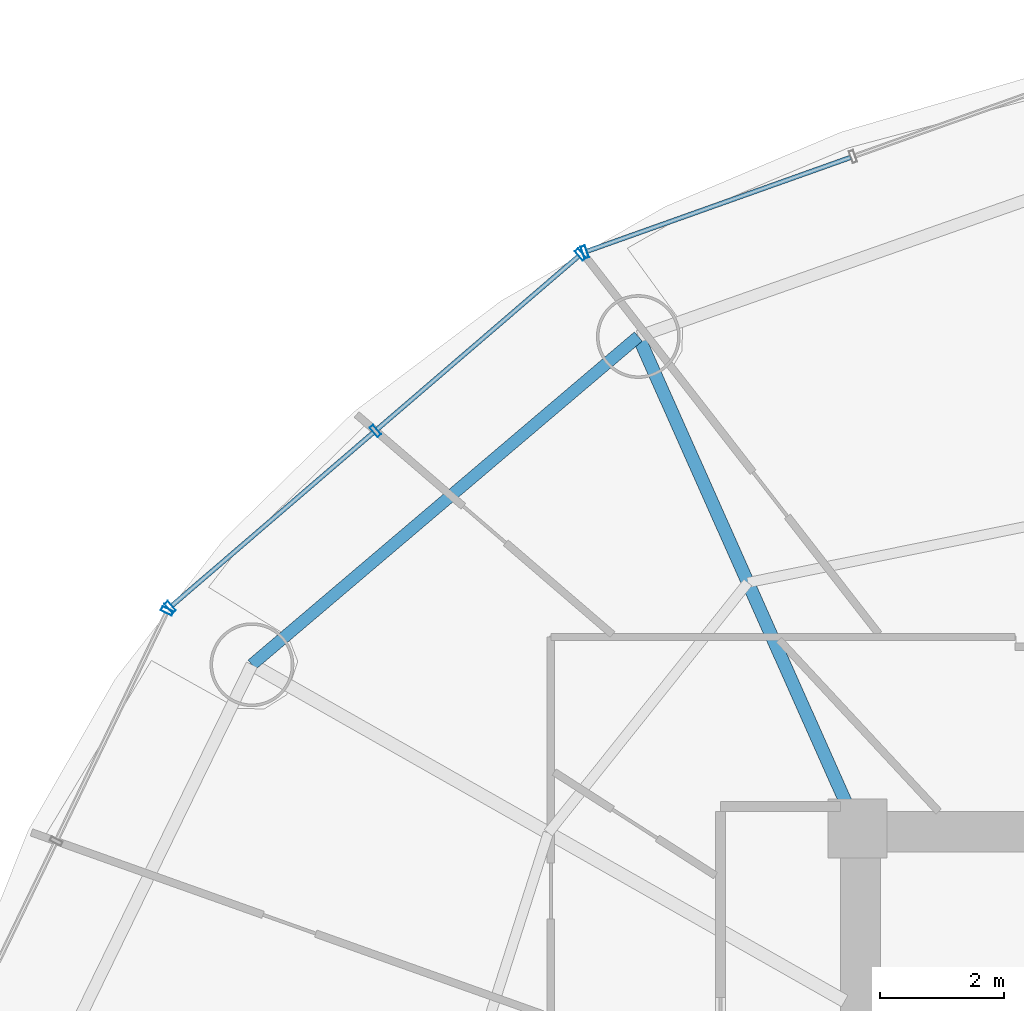
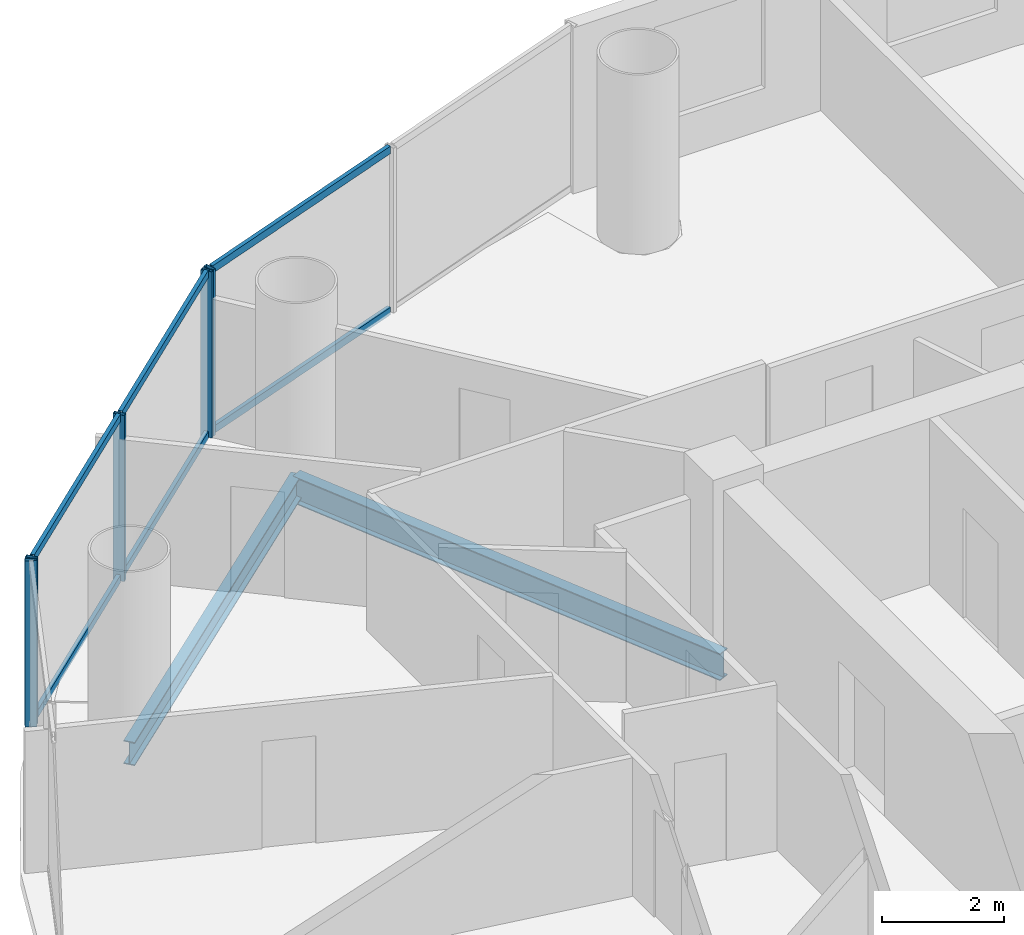
# One storey, part 14 of 27: 11 members, 2 beams, 3 elements without a shape of their own.
"""IFC4 building model written with IfcOpenShell, lengths in metres."""

from ifc_helpers import new_model, si_unit, direction, frame, origin, origin_2d, place, context, subcontext, project, spatial, hollow_rectangle, i_section, extrude, source, transform, mapped, material, material_profile, profile_set, type_object, element, aggregate, save


model = new_model("IFC4")

# Units and contexts
model_context = context("Model", 3, precision=1e-05, world=origin(), true_north=direction((-0.2419218956, 0.970295726276)))
body_context = subcontext(model_context, "Body", "Model", "MODEL_VIEW")
ifc_project = project(units=[si_unit("LENGTHUNIT", "METRE"), si_unit("AREAUNIT", "SQUARE_METRE"), si_unit("VOLUMEUNIT", "CUBIC_METRE"), si_unit("PLANEANGLEUNIT", "RADIAN"), si_unit("MASSUNIT", "GRAM", prefix="KILO")], contexts=[model_context])

# Site, building, storey
site_placement = place(None, origin())
site = spatial("IfcSite", under=ifc_project, at=site_placement, CompositionType="ELEMENT")
building_placement = place(site_placement, origin())
building = spatial("IfcBuilding", under=site, at=building_placement, Name="Cobrevalo Terracotta Tower", CompositionType="ELEMENT")
storey_placement = place(building_placement, frame((0.0, 0.0, 153.39990234375)))
storey = spatial("IfcBuildingStorey", under=building, at=storey_placement, Name="L40", CompositionType="ELEMENT", Elevation=153.39990234375)

# Beams
ifc_material_1 = material(Name="Steel S355", Category="steel")
ifc_material_profile_1 = material_profile(ifc_material_1, i_section(OverallWidth=0.2109375, OverallDepth=0.5390625, WebThickness=0.01171875, FlangeThickness=0.018798828125, at=origin_2d()), Name="W 530x109")
ifc_profile_set_1 = profile_set([ifc_material_profile_1], Name="Steel S355")
beam_type_1 = type_object("IfcBeamType", Name="Structural Beam W 530x109 (Steel S355)", PredefinedType="BEAM", material=ifc_profile_set_1)
beam_1_placement = place(storey_placement, frame((25.471923828125, 42.72265625, -0.539306640625), z_axis=(0.406804395691, -0.913515289224, 0.0), x_axis=(0.913515289224, 0.406804395691, 0.0)))
element("IfcBeam", 1, at=beam_1_placement, inside=storey, type_object=beam_type_1, Name="L40 radial floor girder 06", PredefinedType="BEAM", context=body_context, shape_type="SweptSolid", body=[
    extrude(i_section(OverallWidth=0.2109375, OverallDepth=0.5390625, WebThickness=0.01171875, FlangeThickness=0.018798828125, at=origin_2d()), origin(), (0.0, 0.0, 1.0), 8.672607421875),
])
ifc_material_profile_2 = material_profile(ifc_material_1, i_section(OverallWidth=0.194091796875, OverallDepth=0.468994140625, WebThickness=0.011474609375, FlangeThickness=0.0205078125, at=origin_2d()), Name="W 460x106")
ifc_profile_set_2 = profile_set([ifc_material_profile_2], Name="Steel S355")
beam_type_2 = type_object("IfcBeamType", Name="Structural Spandrel W 460x106 (Steel S355)", PredefinedType="SPANDREL", material=ifc_profile_set_2)
beam_2_placement = place(storey_placement, frame((25.471923828125, 42.72265625, -0.50439453125), z_axis=(-0.762240337798, -0.647294112003, 0.0), x_axis=(0.647294112003, -0.762240337798, 0.0)))
element("IfcBeam", 2, at=beam_2_placement, inside=storey, type_object=beam_type_2, Name="L40 perimeter ring spandrel 06", PredefinedType="SPANDREL", context=body_context, shape_type="SweptSolid", body=[
    extrude(i_section(OverallWidth=0.194091796875, OverallDepth=0.468994140625, WebThickness=0.011474609375, FlangeThickness=0.0205078125, at=origin_2d()), origin(), (0.0, 0.0, 1.0), 8.162353515625),
])

# Curtain wall, member
ifc_material_2 = material(Name="Anodized aluminium", Category="aluminium")
curtain_wall_type = type_object("IfcCurtainWallType", Name="Mid-tower high-wind unitised curtain wall CW-U2", PredefinedType="NOTDEFINED", material=ifc_material_2)
curtain_wall_1_placement = place(storey_placement, origin())
curtain_wall_1 = element("IfcCurtainWall", 3, at=curtain_wall_1_placement, inside=storey, type_object=curtain_wall_type, Name="L40 curtain wall CW-L40-S05", PredefinedType="NOTDEFINED")
ifc_material_profile_3 = material_profile(ifc_material_2, hollow_rectangle(XDim=0.074951171875, YDim=0.199951171875, WallThickness=0.0048828125, at=origin_2d()), Name="CWM 75x200")
ifc_profile_set_3 = profile_set([ifc_material_profile_3], Name="Anodized aluminium")
member_type_1 = type_object("IfcMemberType", Name="Lower/mid tower unitised mullion 75x200", PredefinedType="MULLION", material=ifc_profile_set_3)
shared_shape_1 = source(origin(), body_context, "Body", "SweptSolid", [
    extrude(hollow_rectangle(XDim=0.074951171875, YDim=0.199951171875, WallThickness=0.0048828125, at=origin_2d()), origin(), (0.0, 0.0, 1.0), 3.330078125),
])
member_1_placement = place(storey_placement, frame((24.609619140625, 44.0830078125, 0.0), z_axis=(0.0, 0.0, 1.0), x_axis=(-0.942098428897, -0.335336473217, 0.0)))
member_1 = element("IfcMember", 4, at=member_1_placement, type_object=member_type_1, Name="CW-L40-S05 vertical mullion 03", PredefinedType="MULLION", context=body_context, shape_type="MappedRepresentation", body=[
    mapped(shared_shape_1, transform((0.0, 0.0, 0.0), scale=1.0)),
])

# Curtain wall, members
curtain_wall_2_placement = place(storey_placement, origin())
curtain_wall_2 = element("IfcCurtainWall", 5, at=curtain_wall_2_placement, inside=storey, type_object=curtain_wall_type, Name="L40 curtain wall CW-L40-S06", PredefinedType="NOTDEFINED")
member_2_placement = place(storey_placement, frame((24.54150390625, 44.04345703125, 0.0), z_axis=(0.0, 0.0, 1.0), x_axis=(-0.758441546142, -0.65174106905, 0.0)))
member_2 = element("IfcMember", 6, at=member_2_placement, type_object=member_type_1, Name="CW-L40-S06 vertical mullion 01", PredefinedType="MULLION", context=body_context, shape_type="MappedRepresentation", body=[
    mapped(shared_shape_1, transform((0.0, 0.0, 0.0), scale=1.0)),
])
member_3_placement = place(storey_placement, frame((21.237548828125, 41.204345703125, 0.0), z_axis=(0.0, 0.0, 1.0), x_axis=(-0.758441546142, -0.65174106905, 0.0)))
member_3 = element("IfcMember", 7, at=member_3_placement, type_object=member_type_1, Name="CW-L40-S06 vertical mullion 02", PredefinedType="MULLION", context=body_context, shape_type="MappedRepresentation", body=[
    mapped(shared_shape_1, transform((0.0, 0.0, 0.0), scale=1.0)),
])
member_4_placement = place(storey_placement, frame((17.933837890625, 38.365234375, 0.0), z_axis=(0.0, 0.0, 1.0), x_axis=(-0.758441546142, -0.65174106905, 0.0)))
member_4 = element("IfcMember", 8, at=member_4_placement, type_object=member_type_1, Name="CW-L40-S06 vertical mullion 03", PredefinedType="MULLION", context=body_context, shape_type="MappedRepresentation", body=[
    mapped(shared_shape_1, transform((0.0, 0.0, 0.0), scale=1.0)),
])

# Curtain wall, member
curtain_wall_3_placement = place(storey_placement, origin())
curtain_wall_3 = element("IfcCurtainWall", 9, at=curtain_wall_3_placement, inside=storey, type_object=curtain_wall_type, Name="L40 curtain wall CW-L40-S07", PredefinedType="NOTDEFINED")
member_5_placement = place(storey_placement, frame((17.885986328125, 38.30322265625, 0.0), z_axis=(0.0, 0.0, 1.0), x_axis=(-0.434209440271, -0.900811945957, 0.0)))
member_5 = element("IfcMember", 10, at=member_5_placement, type_object=member_type_1, Name="CW-L40-S07 vertical mullion 01", PredefinedType="MULLION", context=body_context, shape_type="MappedRepresentation", body=[
    mapped(shared_shape_1, transform((0.0, 0.0, 0.0), scale=1.0)),
])
aggregate(curtain_wall_3, [member_5])

# Member
ifc_material_profile_4 = material_profile(ifc_material_2, hollow_rectangle(XDim=0.074951171875, YDim=0.14990234375, WallThickness=0.00439453125, at=origin_2d()), Name="CWT 75x150")
ifc_profile_set_4 = profile_set([ifc_material_profile_4], Name="Anodized aluminium")
member_type_2 = type_object("IfcMemberType", Name="Tower unitised aluminium transom 75x150", PredefinedType="USERDEFINED", material=ifc_profile_set_4)
shared_shape_2 = source(origin(), body_context, "Body", "SweptSolid", [
    extrude(hollow_rectangle(XDim=0.074951171875, YDim=0.14990234375, WallThickness=0.00439453125, at=origin_2d()), origin(), (0.0, 0.0, 1.0), 4.276123046875),
])
member_6_placement = place(storey_placement, frame((24.51123046875, 44.017578125, 0.050048828125), z_axis=(-0.758417719247, -0.651768795764, 0.0), x_axis=(0.651768795764, -0.758417719247, 0.0)))
member_6 = element("IfcMember", 11, at=member_6_placement, type_object=member_type_2, Name="CW-L40-S06 transom B01-T1", ObjectType="TRANSOM", PredefinedType="USERDEFINED", context=body_context, shape_type="MappedRepresentation", body=[
    mapped(shared_shape_2, transform((0.0, 0.0, 0.0), scale=1.0)),
])

member_7_placement = place(storey_placement, frame((24.51123046875, 44.017578125, 3.280029296875), z_axis=(-0.758417719247, -0.651768795764, 0.0), x_axis=(0.651768795764, -0.758417719247, 0.0)))
member_7 = element("IfcMember", 12, at=member_7_placement, type_object=member_type_2, Name="CW-L40-S06 transom B01-T2", ObjectType="TRANSOM", PredefinedType="USERDEFINED", context=body_context, shape_type="MappedRepresentation", body=[
    mapped(shared_shape_2, transform((0.0, 0.0, 0.0), scale=1.0)),
])

member_8_placement = place(storey_placement, frame((21.207275390625, 41.17822265625, 0.050048828125), z_axis=(-0.758445941187, -0.65173595443, 0.0), x_axis=(0.65173595443, -0.758445941187, 0.0)))
member_8 = element("IfcMember", 13, at=member_8_placement, type_object=member_type_2, Name="CW-L40-S06 transom B02-T1", ObjectType="TRANSOM", PredefinedType="USERDEFINED", context=body_context, shape_type="MappedRepresentation", body=[
    mapped(shared_shape_2, transform((0.0, 0.0, 0.0), scale=1.0)),
])

member_9_placement = place(storey_placement, frame((21.207275390625, 41.17822265625, 3.280029296875), z_axis=(-0.758445941187, -0.65173595443, 0.0), x_axis=(0.65173595443, -0.758445941187, 0.0)))
member_9 = element("IfcMember", 14, at=member_9_placement, type_object=member_type_2, Name="CW-L40-S06 transom B02-T2", ObjectType="TRANSOM", PredefinedType="USERDEFINED", context=body_context, shape_type="MappedRepresentation", body=[
    mapped(shared_shape_2, transform((0.0, 0.0, 0.0), scale=1.0)),
])

aggregate(curtain_wall_2, [member_2, member_3, member_4, member_6, member_7, member_8, member_9])

shared_shape_3 = source(origin(), body_context, "Body", "SweptSolid", [
    extrude(hollow_rectangle(XDim=0.074951171875, YDim=0.14990234375, WallThickness=0.00439453125, at=origin_2d()), origin(), (0.0, 0.0, 1.0), 4.504150390625),
])
member_10_placement = place(storey_placement, frame((28.890625, 45.60693359375, 0.050048828125), z_axis=(-0.942093344241, -0.335350757771, 0.0), x_axis=(0.335350757771, -0.942093344241, 0.0)))
member_10 = element("IfcMember", 15, at=member_10_placement, type_object=member_type_2, Name="CW-L40-S05 transom B02-T1", ObjectType="TRANSOM", PredefinedType="USERDEFINED", context=body_context, shape_type="MappedRepresentation", body=[
    mapped(shared_shape_3, transform((0.0, 0.0, 0.0), scale=1.0)),
])

member_11_placement = place(storey_placement, frame((28.890625, 45.60693359375, 3.280029296875), z_axis=(-0.942093344241, -0.335350757771, 0.0), x_axis=(0.335350757771, -0.942093344241, 0.0)))
member_11 = element("IfcMember", 16, at=member_11_placement, type_object=member_type_2, Name="CW-L40-S05 transom B02-T2", ObjectType="TRANSOM", PredefinedType="USERDEFINED", context=body_context, shape_type="MappedRepresentation", body=[
    mapped(shared_shape_3, transform((0.0, 0.0, 0.0), scale=1.0)),
])

aggregate(curtain_wall_1, [member_1, member_10, member_11])

save(model, "model.ifc")
